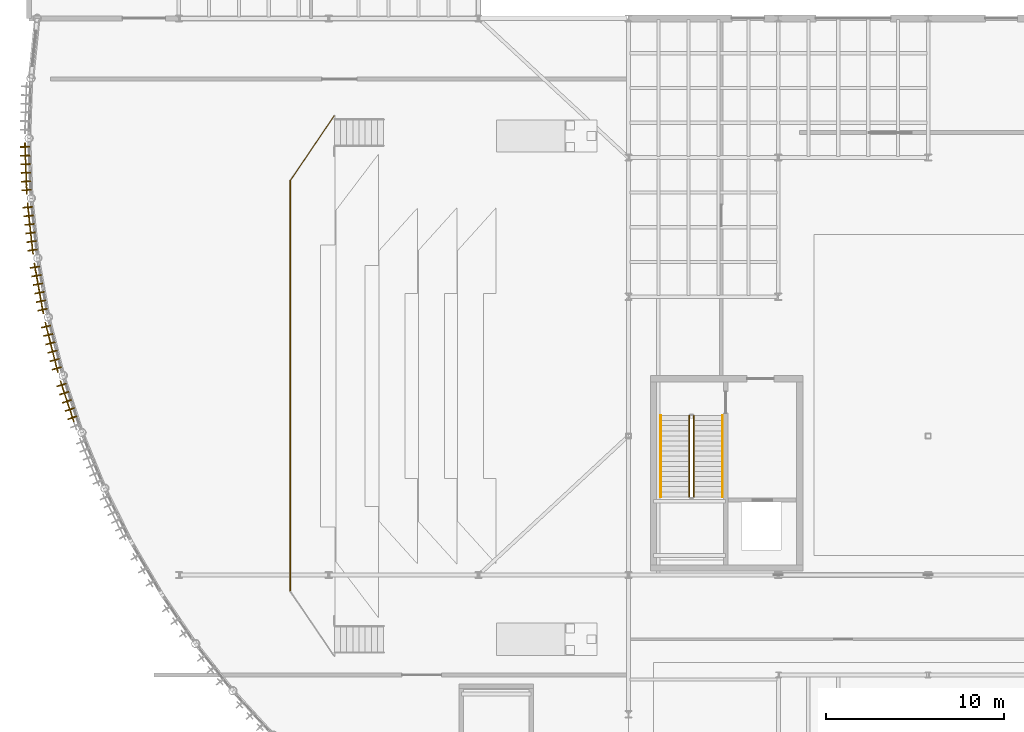
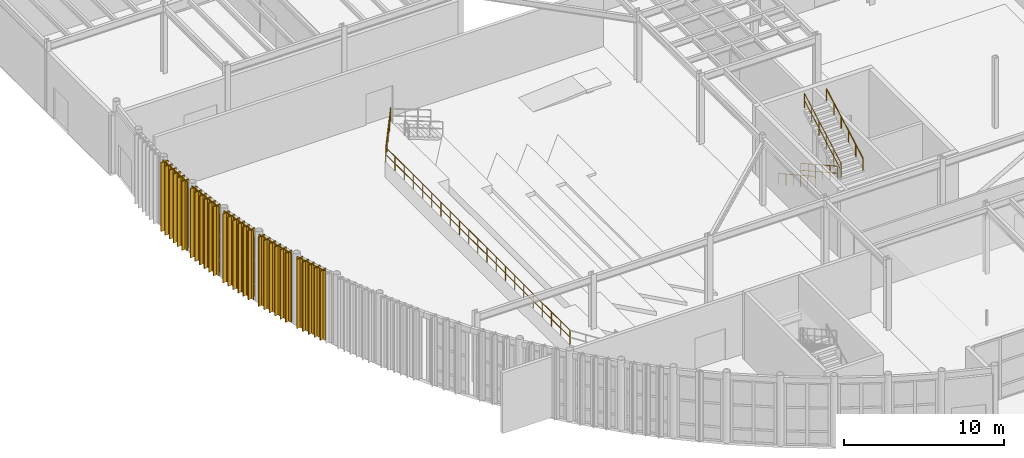
# One storey, part 79 of 87: 29 coverings, 29 shading devices, 6 railings.
"""IFC4 building model written with IfcOpenShell, lengths in metres."""

from ifc_helpers import new_model, si_unit, direction, frame, origin, origin_2d, place, context, subcontext, project, spatial, polyline, rectangle, circle, outline, extrude, material, layer, layer_set, material_profile, profile_set, type_object, element, save


model = new_model("IFC4")

# Units and contexts
model_context = context("Model", 3, precision=1e-05, world=origin(), true_north=direction((0.0, 1.0)))
body_context = subcontext(model_context, "Body", "Model", "MODEL_VIEW")
ifc_project = project(units=[si_unit("LENGTHUNIT", "METRE"), si_unit("AREAUNIT", "SQUARE_METRE"), si_unit("VOLUMEUNIT", "CUBIC_METRE"), si_unit("PLANEANGLEUNIT", "RADIAN"), si_unit("MASSUNIT", "GRAM", prefix="KILO")], contexts=[model_context])

# Site, building, storey
site_placement = place(None, origin())
site = spatial("IfcSite", under=ifc_project, at=site_placement, CompositionType="ELEMENT")
building_placement = place(site_placement, origin())
building = spatial("IfcBuilding", under=site, at=building_placement, Name="Selat Folded Stagehouse", CompositionType="ELEMENT")
storey_placement = place(building_placement, origin())
storey = spatial("IfcBuildingStorey", under=building, at=storey_placement, Name="L00", CompositionType="ELEMENT", Elevation=0.0)

# Coverings
ifc_material_1 = material(Name="Bronze-anodised aluminium 6063-T6", Category="aluminium")
ifc_layer_1 = layer(ifc_material_1, 0.06396484375)
ifc_layer_set_1 = layer_set([ifc_layer_1], Name="Bronze-anodised aluminium 6063-T6")
covering_type = type_object("IfcCoveringType", Name="COV-FIN-BRZ53", PredefinedType="CLADDING", material=ifc_layer_set_1)
covering_1_placement = place(storey_placement, frame((0.0, 0.0, 0.050048828125)))
element("IfcCovering", 1, at=covering_1_placement, inside=storey, type_object=covering_type, Name="L00 drum bronze fin cladding sheath 067", PredefinedType="CLADDING", context=body_context, shape_type="SweptSolid", body=[
    extrude(outline(polyline([(0.037841796875, 47.432861328125), (-0.502197265625, 47.42626953125), (-0.50146484375, 47.3623046875), (0.03857421875, 47.368896484375), (0.037841796875, 47.432861328125)])), origin(), (0.0, 0.0, 1.0), 5.27001953125),
])
covering_2_placement = place(storey_placement, frame((0.0, 0.0, 0.050048828125)))
element("IfcCovering", 2, at=covering_2_placement, inside=storey, type_object=covering_type, Name="L00 drum bronze fin cladding sheath 073", PredefinedType="CLADDING", context=body_context, shape_type="SweptSolid", body=[
    extrude(outline(polyline([(0.055419921875, 46.9521484375), (-0.484375, 46.93994140625), (-0.48291015625, 46.8759765625), (0.056884765625, 46.88818359375), (0.055419921875, 46.9521484375)])), origin(), (0.0, 0.0, 1.0), 5.27001953125),
])
covering_3_placement = place(storey_placement, frame((0.0, 0.0, 0.050048828125)))
element("IfcCovering", 3, at=covering_3_placement, inside=storey, type_object=covering_type, Name="L00 drum bronze fin cladding sheath 079", PredefinedType="CLADDING", context=body_context, shape_type="SweptSolid", body=[
    extrude(outline(polyline([(0.0732421875, 46.471435546875), (-0.46630859375, 46.453857421875), (-0.46435546875, 46.389892578125), (0.075439453125, 46.407470703125), (0.0732421875, 46.471435546875)])), origin(), (0.0, 0.0, 1.0), 5.27001953125),
])
covering_4_placement = place(storey_placement, frame((0.0, 0.0, 0.050048828125)))
element("IfcCovering", 4, at=covering_4_placement, inside=storey, type_object=covering_type, Name="L00 drum bronze fin cladding sheath 085", PredefinedType="CLADDING", context=body_context, shape_type="SweptSolid", body=[
    extrude(outline(polyline([(0.091064453125, 45.99072265625), (-0.448486328125, 45.9677734375), (-0.44580078125, 45.90380859375), (0.09375, 45.9267578125), (0.091064453125, 45.99072265625)])), origin(), (0.0, 0.0, 1.0), 5.27001953125),
])
covering_5_placement = place(storey_placement, frame((0.0, 0.0, 0.050048828125)))
element("IfcCovering", 5, at=covering_5_placement, inside=storey, type_object=covering_type, Name="L00 drum bronze fin cladding sheath 091", PredefinedType="CLADDING", context=body_context, shape_type="SweptSolid", body=[
    extrude(outline(polyline([(0.10888671875, 45.510009765625), (-0.430419921875, 45.4814453125), (-0.427001953125, 45.41748046875), (0.1123046875, 45.446044921875), (0.10888671875, 45.510009765625)])), origin(), (0.0, 0.0, 1.0), 5.27001953125),
])
covering_6_placement = place(storey_placement, frame((0.0, 0.0, 0.050048828125)))
element("IfcCovering", 6, at=covering_6_placement, inside=storey, type_object=covering_type, Name="L00 drum bronze fin cladding sheath 097", PredefinedType="CLADDING", context=body_context, shape_type="SweptSolid", body=[
    extrude(outline(polyline([(0.126708984375, 45.029052734375), (-0.412353515625, 44.995361328125), (-0.408447265625, 44.931396484375), (0.130615234375, 44.96533203125), (0.126708984375, 45.029052734375)])), origin(), (0.0, 0.0, 1.0), 5.27001953125),
])
covering_7_placement = place(storey_placement, frame((0.0, 0.0, 0.050048828125)))
element("IfcCovering", 7, at=covering_7_placement, inside=storey, type_object=covering_type, Name="L00 drum bronze fin cladding sheath 103", PredefinedType="CLADDING", context=body_context, shape_type="SweptSolid", body=[
    extrude(outline(polyline([(0.19580078125, 44.070068359375), (-0.34228515625, 44.025390625), (-0.337158203125, 43.961669921875), (0.200927734375, 44.00634765625), (0.19580078125, 44.070068359375)])), origin(), (0.0, 0.0, 1.0), 5.27001953125),
])
covering_8_placement = place(storey_placement, frame((0.0, 0.0, 0.050048828125)))
element("IfcCovering", 8, at=covering_8_placement, inside=storey, type_object=covering_type, Name="L00 drum bronze fin cladding sheath 109", PredefinedType="CLADDING", context=body_context, shape_type="SweptSolid", body=[
    extrude(outline(polyline([(0.247314453125, 43.591796875), (-0.29052734375, 43.541748046875), (-0.28466796875, 43.47802734375), (0.253173828125, 43.528076171875), (0.247314453125, 43.591796875)])), origin(), (0.0, 0.0, 1.0), 5.27001953125),
])
covering_9_placement = place(storey_placement, frame((0.0, 0.0, 0.050048828125)))
element("IfcCovering", 9, at=covering_9_placement, inside=storey, type_object=covering_type, Name="L00 drum bronze fin cladding sheath 115", PredefinedType="CLADDING", context=body_context, shape_type="SweptSolid", body=[
    extrude(outline(polyline([(0.298583984375, 43.11328125), (-0.238525390625, 43.05810546875), (-0.23193359375, 42.994384765625), (0.30517578125, 43.0498046875), (0.298583984375, 43.11328125)])), origin(), (0.0, 0.0, 1.0), 5.27001953125),
])
covering_10_placement = place(storey_placement, frame((0.0, 0.0, 0.050048828125)))
element("IfcCovering", 10, at=covering_10_placement, inside=storey, type_object=covering_type, Name="L00 drum bronze fin cladding sheath 121", PredefinedType="CLADDING", context=body_context, shape_type="SweptSolid", body=[
    extrude(outline(polyline([(0.35009765625, 42.635009765625), (-0.1865234375, 42.57421875), (-0.17919921875, 42.5107421875), (0.357421875, 42.571533203125), (0.35009765625, 42.635009765625)])), origin(), (0.0, 0.0, 1.0), 5.27001953125),
])
covering_11_placement = place(storey_placement, frame((0.0, 0.0, 0.050048828125)))
element("IfcCovering", 11, at=covering_11_placement, inside=storey, type_object=covering_type, Name="L00 drum bronze fin cladding sheath 127", PredefinedType="CLADDING", context=body_context, shape_type="SweptSolid", body=[
    extrude(outline(polyline([(0.401611328125, 42.15673828125), (-0.134521484375, 42.090576171875), (-0.126708984375, 42.027099609375), (0.4091796875, 42.09326171875), (0.401611328125, 42.15673828125)])), origin(), (0.0, 0.0, 1.0), 5.27001953125),
])
covering_12_placement = place(storey_placement, frame((0.0, 0.0, 0.050048828125)))
element("IfcCovering", 12, at=covering_12_placement, inside=storey, type_object=covering_type, Name="L00 drum bronze fin cladding sheath 133", PredefinedType="CLADDING", context=body_context, shape_type="SweptSolid", body=[
    extrude(outline(polyline([(0.452880859375, 41.678466796875), (-0.082275390625, 41.606689453125), (-0.073974609375, 41.54345703125), (0.46142578125, 41.614990234375), (0.452880859375, 41.678466796875)])), origin(), (0.0, 0.0, 1.0), 5.27001953125),
])
covering_13_placement = place(storey_placement, frame((0.0, 0.0, 0.050048828125)))
element("IfcCovering", 13, at=covering_13_placement, inside=storey, type_object=covering_type, Name="L00 drum bronze fin cladding sheath 139", PredefinedType="CLADDING", context=body_context, shape_type="SweptSolid", body=[
    extrude(outline(polyline([(0.589111328125, 40.7265625), (0.055419921875, 40.644287109375), (0.065185546875, 40.5810546875), (0.598876953125, 40.6630859375), (0.589111328125, 40.7265625)])), origin(), (0.0, 0.0, 1.0), 5.27001953125),
])
covering_14_placement = place(storey_placement, frame((0.0, 0.0, 0.050048828125)))
element("IfcCovering", 14, at=covering_14_placement, inside=storey, type_object=covering_type, Name="L00 drum bronze fin cladding sheath 145", PredefinedType="CLADDING", context=body_context, shape_type="SweptSolid", body=[
    extrude(outline(polyline([(0.674072265625, 40.2529296875), (0.14111328125, 40.165283203125), (0.151611328125, 40.102294921875), (0.684326171875, 40.189697265625), (0.674072265625, 40.2529296875)])), origin(), (0.0, 0.0, 1.0), 5.27001953125),
])
covering_15_placement = place(storey_placement, frame((0.0, 0.0, 0.050048828125)))
element("IfcCovering", 15, at=covering_15_placement, inside=storey, type_object=covering_type, Name="L00 drum bronze fin cladding sheath 151", PredefinedType="CLADDING", context=body_context, shape_type="SweptSolid", body=[
    extrude(outline(polyline([(0.7587890625, 39.779296875), (0.22705078125, 39.6865234375), (0.238037109375, 39.623291015625), (0.77001953125, 39.71630859375), (0.7587890625, 39.779296875)])), origin(), (0.0, 0.0, 1.0), 5.27001953125),
])
covering_16_placement = place(storey_placement, frame((0.0, 0.0, 0.050048828125)))
element("IfcCovering", 16, at=covering_16_placement, inside=storey, type_object=covering_type, Name="L00 drum bronze fin cladding sheath 157", PredefinedType="CLADDING", context=body_context, shape_type="SweptSolid", body=[
    extrude(outline(polyline([(0.84375, 39.305908203125), (0.312744140625, 39.20751953125), (0.324462890625, 39.144775390625), (0.85546875, 39.242919921875), (0.84375, 39.305908203125)])), origin(), (0.0, 0.0, 1.0), 5.27001953125),
])
covering_17_placement = place(storey_placement, frame((0.0, 0.0, 0.050048828125)))
element("IfcCovering", 17, at=covering_17_placement, inside=storey, type_object=covering_type, Name="L00 drum bronze fin cladding sheath 163", PredefinedType="CLADDING", context=body_context, shape_type="SweptSolid", body=[
    extrude(outline(polyline([(0.9287109375, 38.832275390625), (0.398681640625, 38.728759765625), (0.410888671875, 38.666015625), (0.94091796875, 38.76953125), (0.9287109375, 38.832275390625)])), origin(), (0.0, 0.0, 1.0), 5.27001953125),
])
covering_18_placement = place(storey_placement, frame((0.0, 0.0, 0.050048828125)))
element("IfcCovering", 18, at=covering_18_placement, inside=storey, type_object=covering_type, Name="L00 drum bronze fin cladding sheath 169", PredefinedType="CLADDING", context=body_context, shape_type="SweptSolid", body=[
    extrude(outline(polyline([(1.013427734375, 38.35888671875), (0.484619140625, 38.25), (0.497314453125, 38.187255859375), (1.0263671875, 38.296142578125), (1.013427734375, 38.35888671875)])), origin(), (0.0, 0.0, 1.0), 5.27001953125),
])
covering_19_placement = place(storey_placement, frame((0.0, 0.0, 0.050048828125)))
element("IfcCovering", 19, at=covering_19_placement, inside=storey, type_object=covering_type, Name="L00 drum bronze fin cladding sheath 175", PredefinedType="CLADDING", context=body_context, shape_type="SweptSolid", body=[
    extrude(outline(polyline([(1.216064453125, 37.418701171875), (0.689453125, 37.29931640625), (0.70361328125, 37.23681640625), (1.230224609375, 37.3564453125), (1.216064453125, 37.418701171875)])), origin(), (0.0, 0.0, 1.0), 5.27001953125),
])
covering_20_placement = place(storey_placement, frame((0.0, 0.0, 0.050048828125)))
element("IfcCovering", 20, at=covering_20_placement, inside=storey, type_object=covering_type, Name="L00 drum bronze fin cladding sheath 181", PredefinedType="CLADDING", context=body_context, shape_type="SweptSolid", body=[
    extrude(outline(polyline([(1.333984375, 36.952392578125), (0.80859375, 36.82763671875), (0.823486328125, 36.765380859375), (1.348876953125, 36.89013671875), (1.333984375, 36.952392578125)])), origin(), (0.0, 0.0, 1.0), 5.27001953125),
])
covering_21_placement = place(storey_placement, frame((0.0, 0.0, 0.050048828125)))
element("IfcCovering", 21, at=covering_21_placement, inside=storey, type_object=covering_type, Name="L00 drum bronze fin cladding sheath 187", PredefinedType="CLADDING", context=body_context, shape_type="SweptSolid", body=[
    extrude(outline(polyline([(1.451904296875, 36.48583984375), (0.927734375, 36.35595703125), (0.943115234375, 36.293701171875), (1.46728515625, 36.423828125), (1.451904296875, 36.48583984375)])), origin(), (0.0, 0.0, 1.0), 5.27001953125),
])
covering_22_placement = place(storey_placement, frame((0.0, 0.0, 0.050048828125)))
element("IfcCovering", 22, at=covering_22_placement, inside=storey, type_object=covering_type, Name="L00 drum bronze fin cladding sheath 193", PredefinedType="CLADDING", context=body_context, shape_type="SweptSolid", body=[
    extrude(outline(polyline([(1.569580078125, 36.01953125), (1.046875, 35.88427734375), (1.06298828125, 35.822265625), (1.585693359375, 35.95751953125), (1.569580078125, 36.01953125)])), origin(), (0.0, 0.0, 1.0), 5.27001953125),
])
covering_23_placement = place(storey_placement, frame((0.0, 0.0, 0.050048828125)))
element("IfcCovering", 23, at=covering_23_placement, inside=storey, type_object=covering_type, Name="L00 drum bronze fin cladding sheath 199", PredefinedType="CLADDING", context=body_context, shape_type="SweptSolid", body=[
    extrude(outline(polyline([(1.6875, 35.552978515625), (1.166259765625, 35.41259765625), (1.182861328125, 35.350830078125), (1.7041015625, 35.4912109375), (1.6875, 35.552978515625)])), origin(), (0.0, 0.0, 1.0), 5.27001953125),
])
covering_24_placement = place(storey_placement, frame((0.0, 0.0, 0.050048828125)))
element("IfcCovering", 24, at=covering_24_placement, inside=storey, type_object=covering_type, Name="L00 drum bronze fin cladding sheath 205", PredefinedType="CLADDING", context=body_context, shape_type="SweptSolid", body=[
    extrude(outline(polyline([(1.805419921875, 35.086669921875), (1.285400390625, 34.94091796875), (1.302734375, 34.87939453125), (1.82275390625, 35.02490234375), (1.805419921875, 35.086669921875)])), origin(), (0.0, 0.0, 1.0), 5.27001953125),
])
covering_25_placement = place(storey_placement, frame((0.0, 0.0, 0.050048828125)))
element("IfcCovering", 25, at=covering_25_placement, inside=storey, type_object=covering_type, Name="L00 drum bronze fin cladding sheath 211", PredefinedType="CLADDING", context=body_context, shape_type="SweptSolid", body=[
    extrude(outline(polyline([(2.073486328125, 34.1630859375), (1.556640625, 34.007080078125), (1.5751953125, 33.94580078125), (2.092041015625, 34.101806640625), (2.073486328125, 34.1630859375)])), origin(), (0.0, 0.0, 1.0), 5.27001953125),
])
covering_26_placement = place(storey_placement, frame((0.0, 0.0, 0.050048828125)))
element("IfcCovering", 26, at=covering_26_placement, inside=storey, type_object=covering_type, Name="L00 drum bronze fin cladding sheath 217", PredefinedType="CLADDING", context=body_context, shape_type="SweptSolid", body=[
    extrude(outline(polyline([(2.223876953125, 33.706298828125), (1.70849609375, 33.544921875), (1.7275390625, 33.48388671875), (2.242919921875, 33.64501953125), (2.223876953125, 33.706298828125)])), origin(), (0.0, 0.0, 1.0), 5.27001953125),
])
covering_27_placement = place(storey_placement, frame((0.0, 0.0, 0.050048828125)))
element("IfcCovering", 27, at=covering_27_placement, inside=storey, type_object=covering_type, Name="L00 drum bronze fin cladding sheath 223", PredefinedType="CLADDING", context=body_context, shape_type="SweptSolid", body=[
    extrude(outline(polyline([(2.3740234375, 33.249267578125), (1.8603515625, 33.082763671875), (1.880126953125, 33.02197265625), (2.393798828125, 33.188232421875), (2.3740234375, 33.249267578125)])), origin(), (0.0, 0.0, 1.0), 5.27001953125),
])
covering_28_placement = place(storey_placement, frame((0.0, 0.0, 0.050048828125)))
element("IfcCovering", 28, at=covering_28_placement, inside=storey, type_object=covering_type, Name="L00 drum bronze fin cladding sheath 229", PredefinedType="CLADDING", context=body_context, shape_type="SweptSolid", body=[
    extrude(outline(polyline([(2.5244140625, 32.792236328125), (2.012451171875, 32.62060546875), (2.03271484375, 32.559814453125), (2.544921875, 32.7314453125), (2.5244140625, 32.792236328125)])), origin(), (0.0, 0.0, 1.0), 5.27001953125),
])
covering_29_placement = place(storey_placement, frame((0.0, 0.0, 0.050048828125)))
element("IfcCovering", 29, at=covering_29_placement, inside=storey, type_object=covering_type, Name="L00 drum bronze fin cladding sheath 235", PredefinedType="CLADDING", context=body_context, shape_type="SweptSolid", body=[
    extrude(outline(polyline([(2.6748046875, 32.335205078125), (2.16455078125, 32.158447265625), (2.185302734375, 32.097900390625), (2.69580078125, 32.274658203125), (2.6748046875, 32.335205078125)])), origin(), (0.0, 0.0, 1.0), 5.27001953125),
])

# Railings
ifc_material_2 = material(Name="Bronze-anodised steel balustrade", Category="steel")
ifc_layer_2 = layer(ifc_material_2, 0.06494140625)
ifc_layer_set_2 = layer_set([ifc_layer_2], Name="Bronze-anodised steel balustrade")
railing_type_1 = type_object("IfcRailingType", Name="RLG-BAL-1120", PredefinedType="BALUSTRADE", material=ifc_layer_set_2)
railing_1_placement = place(storey_placement, frame((14.64990234375, 22.486083984375, 1.215087890625)))
element("IfcRailing", 30, at=railing_1_placement, inside=storey, type_object=railing_type_1, Name="L00 protective guard railing 012", PredefinedType="BALUSTRADE", context=body_context, shape_type="SweptSolid", body=[
    extrude(circle(Radius=0.02392578125, at=origin_2d()), frame((0.0, 0.0, 1.09619140625), z_axis=(0.0, 1.0, 0.0), x_axis=(-1.0, 0.0, 0.0)), (0.0, 0.0, 1.0), 23.02783203125),
    extrude(circle(Radius=0.02392578125, at=origin_2d()), frame((0.0, 0.0, 0.56005859375), z_axis=(0.0, 1.0, 0.0), x_axis=(-1.0, 0.0, 0.0)), (0.0, 0.0, 1.0), 23.02783203125),
    extrude(circle(Radius=0.02099609375, at=origin_2d()), origin(), (0.0, 0.0, 1.0), 1.072021484375),
    extrude(circle(Radius=0.02099609375, at=origin_2d()), frame((0.0, 1.1513671875, 0.0)), (0.0, 0.0, 1.0), 1.072021484375),
    extrude(circle(Radius=0.02099609375, at=origin_2d()), frame((0.0, 2.302734375, 0.0)), (0.0, 0.0, 1.0), 1.072021484375),
    extrude(circle(Radius=0.02099609375, at=origin_2d()), frame((0.0, 3.4541015625, 0.0)), (0.0, 0.0, 1.0), 1.072021484375),
    extrude(circle(Radius=0.02099609375, at=origin_2d()), frame((0.0, 4.60546875, 0.0)), (0.0, 0.0, 1.0), 1.072021484375),
    extrude(circle(Radius=0.02099609375, at=origin_2d()), frame((0.0, 5.7568359375, 0.0)), (0.0, 0.0, 1.0), 1.072021484375),
    extrude(circle(Radius=0.02099609375, at=origin_2d()), frame((0.0, 6.908447265625, 0.0)), (0.0, 0.0, 1.0), 1.072021484375),
    extrude(circle(Radius=0.02099609375, at=origin_2d()), frame((0.0, 8.059814453125, 0.0)), (0.0, 0.0, 1.0), 1.072021484375),
    extrude(circle(Radius=0.02099609375, at=origin_2d()), frame((0.0, 9.211181640625, 0.0)), (0.0, 0.0, 1.0), 1.072021484375),
    extrude(circle(Radius=0.02099609375, at=origin_2d()), frame((0.0, 10.362548828125, 0.0)), (0.0, 0.0, 1.0), 1.072021484375),
    extrude(circle(Radius=0.02099609375, at=origin_2d()), frame((0.0, 11.513916015625, 0.0)), (0.0, 0.0, 1.0), 1.072021484375),
    extrude(circle(Radius=0.02099609375, at=origin_2d()), frame((0.0, 12.665283203125, 0.0)), (0.0, 0.0, 1.0), 1.072021484375),
    extrude(circle(Radius=0.02099609375, at=origin_2d()), frame((0.0, 13.816650390625, 0.0)), (0.0, 0.0, 1.0), 1.072021484375),
    extrude(circle(Radius=0.02099609375, at=origin_2d()), frame((0.0, 14.968017578125, 0.0)), (0.0, 0.0, 1.0), 1.072021484375),
    extrude(circle(Radius=0.02099609375, at=origin_2d()), frame((0.0, 16.119384765625, 0.0)), (0.0, 0.0, 1.0), 1.072021484375),
    extrude(circle(Radius=0.02099609375, at=origin_2d()), frame((0.0, 17.27099609375, 0.0)), (0.0, 0.0, 1.0), 1.072021484375),
    extrude(circle(Radius=0.02099609375, at=origin_2d()), frame((0.0, 18.42236328125, 0.0)), (0.0, 0.0, 1.0), 1.072021484375),
    extrude(circle(Radius=0.02099609375, at=origin_2d()), frame((0.0, 19.57373046875, 0.0)), (0.0, 0.0, 1.0), 1.072021484375),
    extrude(circle(Radius=0.02099609375, at=origin_2d()), frame((0.0, 20.72509765625, 0.0)), (0.0, 0.0, 1.0), 1.072021484375),
    extrude(circle(Radius=0.02099609375, at=origin_2d()), frame((0.0, 21.87646484375, 0.0)), (0.0, 0.0, 1.0), 1.072021484375),
    extrude(circle(Radius=0.02099609375, at=origin_2d()), frame((0.0, 23.02783203125, 0.0)), (0.0, 0.0, 1.0), 1.072021484375),
])
railing_2_placement = place(storey_placement, frame((14.64990234375, 45.513916015625, 1.215087890625)))
element("IfcRailing", 31, at=railing_2_placement, inside=storey, type_object=railing_type_1, Name="L00 protective guard railing 013", PredefinedType="BALUSTRADE", context=body_context, shape_type="SweptSolid", body=[
    extrude(circle(Radius=0.02392578125, at=origin_2d()), frame((0.0, 0.0, 1.09619140625), z_axis=(0.560398013003, 0.828223440276, 0.0), x_axis=(-0.828223440276, 0.560398013003, 0.0)), (0.0, 0.0, 1.0), 4.39013671875),
    extrude(circle(Radius=0.02392578125, at=origin_2d()), frame((0.0, 0.0, 0.56005859375), z_axis=(0.560398013003, 0.828223440276, 0.0), x_axis=(-0.828223440276, 0.560398013003, 0.0)), (0.0, 0.0, 1.0), 4.39013671875),
    extrude(circle(Radius=0.02099609375, at=origin_2d()), origin(), (0.0, 0.0, 1.0), 1.072021484375),
    extrude(circle(Radius=0.02099609375, at=origin_2d()), frame((0.614990234375, 0.908935546875, 0.0)), (0.0, 0.0, 1.0), 1.072021484375),
    extrude(circle(Radius=0.02099609375, at=origin_2d()), frame((1.22998046875, 1.81787109375, 0.0)), (0.0, 0.0, 1.0), 1.072021484375),
    extrude(circle(Radius=0.02099609375, at=origin_2d()), frame((1.84521484375, 2.72705078125, 0.0)), (0.0, 0.0, 1.0), 1.072021484375),
    extrude(circle(Radius=0.02099609375, at=origin_2d()), frame((2.460205078125, 3.635986328125, 0.0)), (0.0, 0.0, 1.0), 1.072021484375),
])
railing_3_placement = place(storey_placement, frame((37.010009765625, 32.340087890625, 0.158935546875)))
element("IfcRailing", 32, at=railing_3_placement, inside=storey, type_object=railing_type_1, Name="L00 ST-01 stair well guard 1", PredefinedType="BALUSTRADE", context=body_context, shape_type="SweptSolid", body=[
    extrude(circle(Radius=0.02392578125, at=origin_2d()), frame((0.0, 0.0, 1.09619140625), z_axis=(0.0, -0.873534455015, 0.486762319723), x_axis=(1.0, 0.0, 0.0)), (0.0, 0.0, 1.0), 5.22021484375),
    extrude(circle(Radius=0.02392578125, at=origin_2d()), frame((0.0, 0.0, 0.56005859375), z_axis=(0.0, -0.873534455015, 0.486762319723), x_axis=(1.0, 0.0, 0.0)), (0.0, 0.0, 1.0), 5.22021484375),
    extrude(circle(Radius=0.02099609375, at=origin_2d()), origin(), (0.0, 0.0, 1.0), 1.072021484375),
    extrude(circle(Radius=0.02099609375, at=origin_2d()), frame((0.0, -0.912109375, 0.50830078125)), (0.0, 0.0, 1.0), 1.072021484375),
    extrude(circle(Radius=0.02099609375, at=origin_2d()), frame((0.0, -1.823974609375, 1.016357421875)), (0.0, 0.0, 1.0), 1.072021484375),
    extrude(circle(Radius=0.02099609375, at=origin_2d()), frame((0.0, -2.736083984375, 1.524658203125)), (0.0, 0.0, 1.0), 1.072021484375),
    extrude(circle(Radius=0.02099609375, at=origin_2d()), frame((0.0, -3.64794921875, 2.03271484375)), (0.0, 0.0, 1.0), 1.072021484375),
    extrude(circle(Radius=0.02099609375, at=origin_2d()), frame((0.0, -4.56005859375, 2.541015625)), (0.0, 0.0, 1.0), 1.072021484375),
])
railing_4_placement = place(storey_placement, frame((37.27001953125, 27.780029296875, 2.85888671875)))
element("IfcRailing", 33, at=railing_4_placement, inside=storey, type_object=railing_type_1, Name="L00 ST-01 stair well guard 3", PredefinedType="BALUSTRADE", context=body_context, shape_type="SweptSolid", body=[
    extrude(circle(Radius=0.02392578125, at=origin_2d()), frame((0.0, 0.0, 1.09619140625), z_axis=(0.0, 0.873534455015, 0.486762319723), x_axis=(-1.0, 0.0, 0.0)), (0.0, 0.0, 1.0), 5.22021484375),
    extrude(circle(Radius=0.02392578125, at=origin_2d()), frame((0.0, 0.0, 0.56005859375), z_axis=(0.0, 0.873534455015, 0.486762319723), x_axis=(-1.0, 0.0, 0.0)), (0.0, 0.0, 1.0), 5.22021484375),
    extrude(circle(Radius=0.02099609375, at=origin_2d()), origin(), (0.0, 0.0, 1.0), 1.072021484375),
    extrude(circle(Radius=0.02099609375, at=origin_2d()), frame((0.0, 0.912109375, 0.50830078125)), (0.0, 0.0, 1.0), 1.072021484375),
    extrude(circle(Radius=0.02099609375, at=origin_2d()), frame((0.0, 1.823974609375, 1.016357421875)), (0.0, 0.0, 1.0), 1.072021484375),
    extrude(circle(Radius=0.02099609375, at=origin_2d()), frame((0.0, 2.736083984375, 1.524658203125)), (0.0, 0.0, 1.0), 1.072021484375),
    extrude(circle(Radius=0.02099609375, at=origin_2d()), frame((0.0, 3.64794921875, 2.03271484375)), (0.0, 0.0, 1.0), 1.072021484375),
    extrude(circle(Radius=0.02099609375, at=origin_2d()), frame((0.0, 4.56005859375, 2.541015625)), (0.0, 0.0, 1.0), 1.072021484375),
])
ifc_material_3 = material(Name="Brushed stainless steel 1.4301", Category="steel")
ifc_layer_3 = layer(ifc_material_3, 0.048095703125)
ifc_layer_set_3 = layer_set([ifc_layer_3], Name="Brushed stainless steel 1.4301")
railing_type_2 = type_object("IfcRailingType", Name="RLG-HANDRAIL-900", PredefinedType="HANDRAIL", material=ifc_layer_set_3)
railing_5_placement = place(storey_placement, frame((35.409912109375, 32.340087890625, 0.158935546875)))
element("IfcRailing", 34, at=railing_5_placement, inside=storey, type_object=railing_type_2, Name="L00 ST-01 wall handrail 1", PredefinedType="HANDRAIL", context=body_context, shape_type="SweptSolid", body=[
    extrude(circle(Radius=0.02392578125, at=origin_2d()), frame((0.0, 0.0, 0.8759765625), z_axis=(0.0, -0.873534455015, 0.486762319723), x_axis=(1.0, 0.0, 0.0)), (0.0, 0.0, 1.0), 5.22021484375),
    extrude(circle(Radius=0.02099609375, at=origin_2d()), origin(), (0.0, 0.0, 1.0), 0.851806640625),
    extrude(circle(Radius=0.02099609375, at=origin_2d()), frame((0.0, -0.912109375, 0.50830078125)), (0.0, 0.0, 1.0), 0.851806640625),
    extrude(circle(Radius=0.02099609375, at=origin_2d()), frame((0.0, -1.823974609375, 1.016357421875)), (0.0, 0.0, 1.0), 0.851806640625),
    extrude(circle(Radius=0.02099609375, at=origin_2d()), frame((0.0, -2.736083984375, 1.524658203125)), (0.0, 0.0, 1.0), 0.851806640625),
    extrude(circle(Radius=0.02099609375, at=origin_2d()), frame((0.0, -3.64794921875, 2.03271484375)), (0.0, 0.0, 1.0), 0.851806640625),
    extrude(circle(Radius=0.02099609375, at=origin_2d()), frame((0.0, -4.56005859375, 2.541015625)), (0.0, 0.0, 1.0), 0.851806640625),
])
railing_6_placement = place(storey_placement, frame((38.8701171875, 27.780029296875, 2.85888671875)))
element("IfcRailing", 35, at=railing_6_placement, inside=storey, type_object=railing_type_2, Name="L00 ST-01 wall handrail 2", PredefinedType="HANDRAIL", context=body_context, shape_type="SweptSolid", body=[
    extrude(circle(Radius=0.02392578125, at=origin_2d()), frame((0.0, 0.0, 0.8759765625), z_axis=(0.0, 0.873534455015, 0.486762319723), x_axis=(-1.0, 0.0, 0.0)), (0.0, 0.0, 1.0), 5.22021484375),
    extrude(circle(Radius=0.02099609375, at=origin_2d()), origin(), (0.0, 0.0, 1.0), 0.851806640625),
    extrude(circle(Radius=0.02099609375, at=origin_2d()), frame((0.0, 0.912109375, 0.50830078125)), (0.0, 0.0, 1.0), 0.851806640625),
    extrude(circle(Radius=0.02099609375, at=origin_2d()), frame((0.0, 1.823974609375, 1.016357421875)), (0.0, 0.0, 1.0), 0.851806640625),
    extrude(circle(Radius=0.02099609375, at=origin_2d()), frame((0.0, 2.736083984375, 1.524658203125)), (0.0, 0.0, 1.0), 0.851806640625),
    extrude(circle(Radius=0.02099609375, at=origin_2d()), frame((0.0, 3.64794921875, 2.03271484375)), (0.0, 0.0, 1.0), 0.851806640625),
    extrude(circle(Radius=0.02099609375, at=origin_2d()), frame((0.0, 4.56005859375, 2.541015625)), (0.0, 0.0, 1.0), 0.851806640625),
])

# Shading devices
ifc_material_profile = material_profile(ifc_material_1, rectangle(XDim=0.06005859375, YDim=0.47998046875, at=origin_2d()), Name="SOLAR-FIN 480x60")
ifc_profile_set = profile_set([ifc_material_profile], Name="Bronze-anodised aluminium 6063-T6")
shading_device_type = type_object("IfcShadingDeviceType", Name="SHD-FIN-480x60", PredefinedType="USERDEFINED", material=ifc_profile_set)
for number, where, z_axis, x_axis, name in (
    (36, (-0.2216796875, 47.397705078125, 0.050048828125), (0.0, 0.0, 1.0), (-0.999921044204, -0.012566039883, 0.0), "L00 drum vertical bronze solar fin 067"),
    (37, (-0.20361328125, 46.914306640625, 0.050048828125), (0.0, 0.0, 1.0), (-0.999746553782, -0.022512845226, 0.0), "L00 drum vertical bronze solar fin 073"),
    (38, (-0.185546875, 46.430908203125, 0.050048828125), (0.0, 0.0, 1.0), (-0.999467438949, -0.032631862958, 0.0), "L00 drum vertical bronze solar fin 079"),
    (39, (-0.167236328125, 45.947509765625, 0.050048828125), (0.0, 0.0, 1.0), (-0.9990933519, -0.042573162788, 0.0), "L00 drum vertical bronze solar fin 085"),
    (40, (-0.149169921875, 45.46435546875, 0.050048828125), (0.0, 0.0, 1.0), (-0.998620385197, -0.052510249179, 0.0), "L00 drum vertical bronze solar fin 091"),
    (41, (-0.130859375, 44.98095703125, 0.050048828125), (0.0, 0.0, 1.0), (-0.99803767224, -0.06261633005, 0.0), "L00 drum vertical bronze solar fin 097"),
    (42, (-0.060791015625, 44.0166015625, 0.050048828125), (0.0, 0.0, 1.0), (-0.996579940078, -0.08263427276, 0.0), "L00 drum vertical bronze solar fin 103"),
    (43, (-0.0087890625, 43.535888671875, 0.050048828125), (0.0, 0.0, 1.0), (-0.99570856131, -0.092544372783, 0.0), "L00 drum vertical bronze solar fin 109"),
    (44, (0.043212890625, 43.054931640625, 0.050048828125), (0.0, 0.0, 1.0), (-0.994720742649, -0.10261892683, 0.0), "L00 drum vertical bronze solar fin 115"),
    (45, (0.09521484375, 42.573974609375, 0.050048828125), (0.0, 0.0, 1.0), (-0.993650644295, -0.112509542228, 0.0), "L00 drum vertical bronze solar fin 121"),
    (46, (0.1474609375, 42.093017578125, 0.050048828125), (0.0, 0.0, 1.0), (-0.992460828919, -0.122562241583, 0.0), "L00 drum vertical bronze solar fin 127"),
    (47, (0.199462890625, 41.6123046875, 0.050048828125), (0.0, 0.0, 1.0), (-0.99119244206, -0.13242938799, 0.0), "L00 drum vertical bronze solar fin 133"),
    (48, (0.337158203125, 40.6552734375, 0.050048828125), (0.0, 0.0, 1.0), (-0.988334944875, -0.152295885498, 0.0), "L00 drum vertical bronze solar fin 139"),
    (49, (0.422607421875, 40.17919921875, 0.050048828125), (0.0, 0.0, 1.0), (-0.986770965572, -0.162120515372, 0.0), "L00 drum vertical bronze solar fin 145"),
    (50, (0.50830078125, 39.703125, 0.050048828125), (0.0, 0.0, 1.0), (-0.985079303862, -0.172101031672, 0.0), "L00 drum vertical bronze solar fin 151"),
    (51, (0.593994140625, 39.22705078125, 0.050048828125), (0.0, 0.0, 1.0), (-0.983318459858, -0.181892293686, 0.0), "L00 drum vertical bronze solar fin 157"),
    (52, (0.6796875, 38.7509765625, 0.050048828125), (0.0, 0.0, 1.0), (-0.981426830534, -0.191836848149, 0.0), "L00 drum vertical bronze solar fin 163"),
    (53, (0.76513671875, 38.27490234375, 0.050048828125), (0.0, 0.0, 1.0), (-0.979469831173, -0.20159079796, 0.0), "L00 drum vertical bronze solar fin 169"),
    (54, (0.9697265625, 37.330078125, 0.050048828125), (0.0, 0.0, 1.0), (-0.975226629909, -0.22120809279, 0.0), "L00 drum vertical bronze solar fin 175"),
    (55, (1.08837890625, 36.861083984375, 0.050048828125), (0.0, 0.0, 1.0), (-0.972937431695, -0.231068721395, 0.0), "L00 drum vertical bronze solar fin 181"),
    (56, (1.207275390625, 36.392333984375, 0.050048828125), (0.0, 0.0, 1.0), (-0.970590565411, -0.240736275485, 0.0), "L00 drum vertical bronze solar fin 187"),
    (57, (1.325927734375, 35.92333984375, 0.050048828125), (0.0, 0.0, 1.0), (-0.968103926078, -0.25054897388, 0.0), "L00 drum vertical bronze solar fin 193"),
    (58, (1.44482421875, 35.45458984375, 0.050048828125), (0.0, 0.0, 1.0), (-0.965563505285, -0.260167479254, 0.0), "L00 drum vertical bronze solar fin 199"),
    (59, (1.563720703125, 34.985595703125, 0.050048828125), (0.0, 0.0, 1.0), (-0.962880426559, -0.26992829446, 0.0), "L00 drum vertical bronze solar fin 205"),
    (60, (1.833984375, 34.057373046875, 0.050048828125), (0.0, 0.0, 1.0), (-0.957319497532, -0.289031796944, 0.0), "L00 drum vertical bronze solar fin 211"),
    (61, (1.9853515625, 33.597900390625, 0.050048828125), (0.0, 0.0, 1.0), (-0.954344655307, -0.298707681332, 0.0), "L00 drum vertical bronze solar fin 217"),
    (62, (2.13671875, 33.138671875, 0.050048828125), (0.0, 0.0, 1.0), (-0.951325822325, -0.308186923436, 0.0), "L00 drum vertical bronze solar fin 223"),
    (63, (2.2880859375, 32.67919921875, 0.050048828125), (0.0, 0.0, 1.0), (-0.94815738489, -0.317801153992, 0.0), "L00 drum vertical bronze solar fin 229"),
    (64, (2.439453125, 32.219970703125, 0.050048828125), (0.0, 0.0, 1.0), (-0.944948912158, -0.327217898979, 0.0), "L00 drum vertical bronze solar fin 235"),
):
    element("IfcShadingDevice", number, at=place(storey_placement, frame(where, z_axis=z_axis, x_axis=x_axis)), inside=storey, type_object=shading_device_type, Name=name, ObjectType="FIN", PredefinedType="USERDEFINED", context=body_context, shape_type="SweptSolid", body=[
        extrude(rectangle(XDim=0.06005859375, YDim=0.47998046875, at=origin_2d()), origin(), (0.0, 0.0, 1.0), 5.27001953125),
    ])

save(model, "model.ifc")
